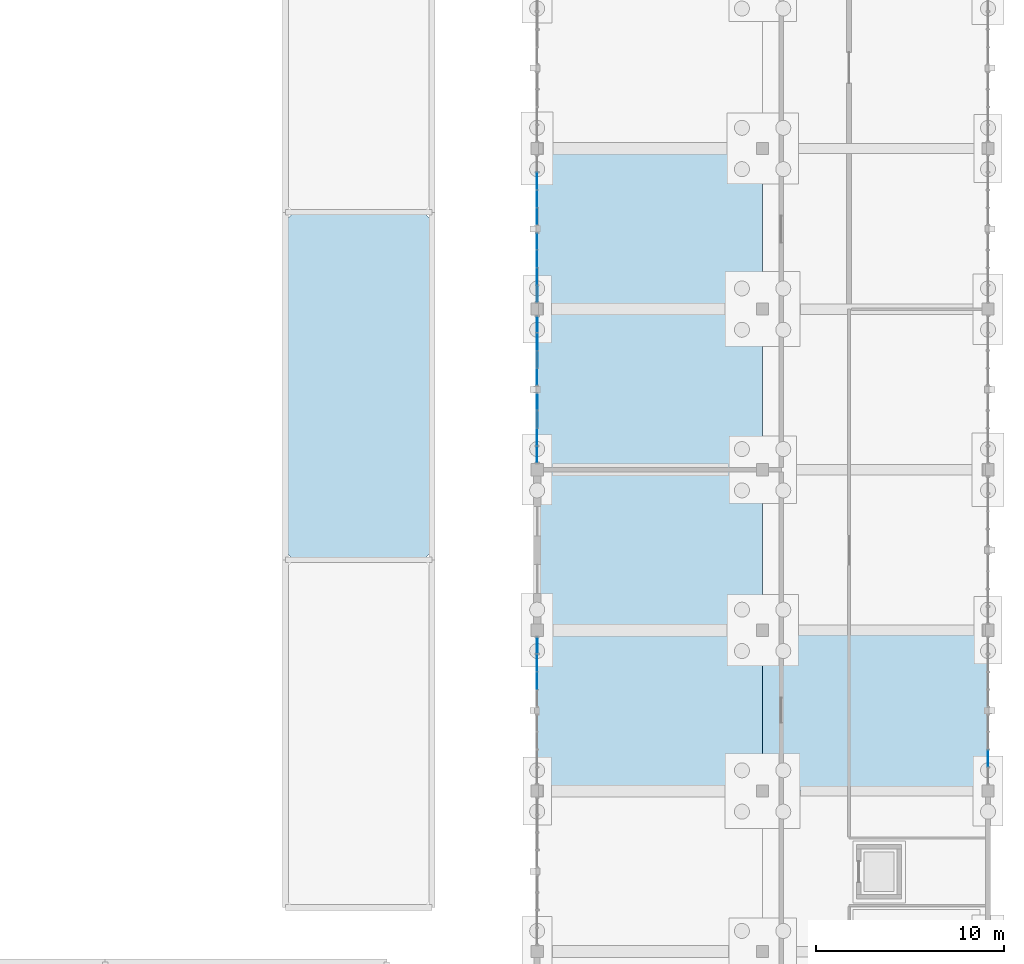
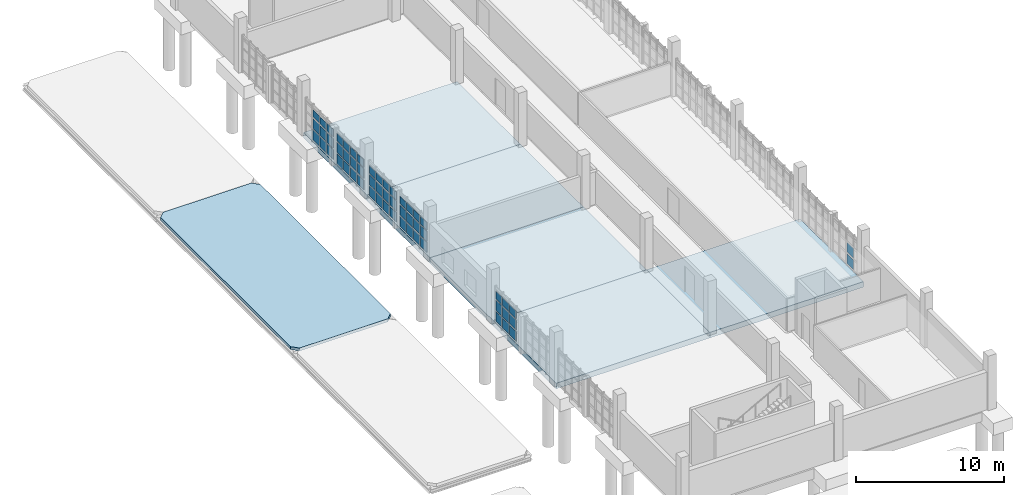
# One storey, part 91 of 125: 56 plates, 6 slabs, 6 elements without a shape of their own.
"""IFC4 building model written with IfcOpenShell, lengths in metres."""

from ifc_helpers import new_model, si_unit, direction, frame, origin, origin_2d, place, context, subcontext, project, spatial, polyline, rectangle, outline, extrude, material, layer, layer_set, type_object, element, aggregate, save


model = new_model("IFC4")

# Units and contexts
model_context = context("Model", 3, precision=1e-05, world=origin(), true_north=direction((0.0, 1.0)))
body_context = subcontext(model_context, "Body", "Model", "MODEL_VIEW")
ifc_project = project(units=[si_unit("LENGTHUNIT", "METRE"), si_unit("AREAUNIT", "SQUARE_METRE"), si_unit("VOLUMEUNIT", "CUBIC_METRE"), si_unit("PLANEANGLEUNIT", "RADIAN"), si_unit("MASSUNIT", "GRAM", prefix="KILO")], contexts=[model_context])

# Site, building, storey
site_placement = place(None, origin())
site = spatial("IfcSite", under=ifc_project, at=site_placement, CompositionType="ELEMENT")
building_placement = place(site_placement, origin())
building = spatial("IfcBuilding", under=site, at=building_placement, Name="Serraforn Aerial Cableway Station", CompositionType="ELEMENT")
storey_placement = place(building_placement, frame((0.0, 0.0, 4.5)))
storey = spatial("IfcBuildingStorey", under=building, at=storey_placement, Name="L01", CompositionType="ELEMENT", Elevation=4.5)

# Curtain wall, plates
ifc_material_1 = material(Name="Anodised bronze unitised curtain wall")
curtain_wall_type_1 = type_object("IfcCurtainWallType", Name="CW-SYS-5", PredefinedType="USERDEFINED", material=ifc_material_1)
curtain_wall_1_placement = place(storey_placement, origin())
curtain_wall_1 = element("IfcCurtainWall", 1, at=curtain_wall_1_placement, inside=storey, type_object=curtain_wall_type_1, Name="Unitised Curtain Wall CW-EG-L01-W3A", ObjectType="UNITISED CURTAIN WALL", PredefinedType="USERDEFINED")
ifc_material_2 = material(Name="Solar-control low-E double glazing", Category="glass")
ifc_layer_1 = layer(ifc_material_2, 0.02587890625)
ifc_layer_set_1 = layer_set([ifc_layer_1], Name="Solar-control low-E double glazing")
plate_type_1 = type_object("IfcPlateType", Name="CW-GLZ-1", PredefinedType="CURTAIN_PANEL", material=ifc_layer_set_1)
plate_1_placement = place(storey_placement, frame((144.0, 69.507568359375, 2.062255859375), z_axis=(0.0, 0.0, 1.0), x_axis=(1.0, 0.0, 0.0)))
plate_1 = element("IfcPlate", 2, at=plate_1_placement, type_object=plate_type_1, Name="Curtain Wall Panel CW-EG-L01-W3A-P2-3", PredefinedType="CURTAIN_PANEL", context=body_context, shape_type="SweptSolid", body=[
    extrude(rectangle(XDim=0.02587890625, YDim=0.882080078125, at=origin_2d()), origin(), (0.0, 0.0, 1.0), 0.6103515625),
])
plate_2_placement = place(storey_placement, frame((144.0, 68.57080078125, 1.12646484375), z_axis=(0.0, 0.0, 1.0), x_axis=(1.0, 0.0, 0.0)))
plate_2 = element("IfcPlate", 3, at=plate_2_placement, type_object=plate_type_1, Name="Curtain Wall Panel CW-EG-L01-W3A-P3-2", PredefinedType="CURTAIN_PANEL", context=body_context, shape_type="SweptSolid", body=[
    extrude(rectangle(XDim=0.02587890625, YDim=0.889404296875, at=origin_2d()), origin(), (0.0, 0.0, 1.0), 0.797607421875),
])

# Curtain wall, plate
curtain_wall_type_2 = type_object("IfcCurtainWallType", Name="CW-SYS-7", PredefinedType="USERDEFINED", material=ifc_material_1)
curtain_wall_2_placement = place(storey_placement, origin())
curtain_wall_2 = element("IfcCurtainWall", 4, at=curtain_wall_2_placement, inside=storey, type_object=curtain_wall_type_2, Name="Unitised Curtain Wall CW-EG-L01-E3A", ObjectType="UNITISED CURTAIN WALL", PredefinedType="USERDEFINED")
plate_3_placement = place(storey_placement, frame((168.0, 64.436279296875, 0.1904296875), z_axis=(0.0, 0.0, 1.0), x_axis=(1.0, 0.0, 0.0)))
plate_3 = element("IfcPlate", 5, at=plate_3_placement, type_object=plate_type_1, Name="Curtain Wall Panel CW-EG-L01-E3A-P2-1", PredefinedType="CURTAIN_PANEL", context=body_context, shape_type="SweptSolid", body=[
    extrude(rectangle(XDim=0.02587890625, YDim=0.884521484375, at=origin_2d()), origin(), (0.0, 0.0, 1.0), 0.797607421875),
])

curtain_wall_type_3 = type_object("IfcCurtainWallType", Name="CW-SYS-11", PredefinedType="USERDEFINED", material=ifc_material_1)
curtain_wall_3_placement = place(storey_placement, origin())
curtain_wall_3 = element("IfcCurtainWall", 6, at=curtain_wall_3_placement, inside=storey, type_object=curtain_wall_type_3, Name="Unitised Curtain Wall CW-EG-L01-W5A", ObjectType="UNITISED CURTAIN WALL", PredefinedType="USERDEFINED")
plate_4_placement = place(storey_placement, frame((144.0, 84.7451171875, 2.0498046875), z_axis=(0.0, 0.0, 1.0), x_axis=(1.0, 0.0, 0.0)))
plate_4 = element("IfcPlate", 7, at=plate_4_placement, type_object=plate_type_1, Name="Curtain Wall Panel CW-EG-L01-W5A-P4-3", PredefinedType="CURTAIN_PANEL", context=body_context, shape_type="SweptSolid", body=[
    extrude(rectangle(XDim=0.02587890625, YDim=0.844482421875, at=origin_2d()), origin(), (0.0, 0.0, 1.0), 0.6376953125),
])

# Curtain wall, plates
curtain_wall_type_4 = type_object("IfcCurtainWallType", Name="CW-SYS-12", PredefinedType="USERDEFINED", material=ifc_material_1)
curtain_wall_4_placement = place(storey_placement, origin())
curtain_wall_4 = element("IfcCurtainWall", 8, at=curtain_wall_4_placement, inside=storey, type_object=curtain_wall_type_4, Name="Unitised Curtain Wall CW-EG-L01-W5B", ObjectType="UNITISED CURTAIN WALL", PredefinedType="USERDEFINED")
plate_5_placement = place(storey_placement, frame((144.0, 81.538818359375, 2.0498046875), z_axis=(0.0, 0.0, 1.0), x_axis=(1.0, 0.0, 0.0)))
plate_5 = element("IfcPlate", 9, at=plate_5_placement, type_object=plate_type_1, Name="Curtain Wall Panel CW-EG-L01-W5B-P3-3", PredefinedType="CURTAIN_PANEL", context=body_context, shape_type="SweptSolid", body=[
    extrude(rectangle(XDim=0.02587890625, YDim=0.87939453125, at=origin_2d()), origin(), (0.0, 0.0, 1.0), 0.6376953125),
])
plate_6_placement = place(storey_placement, frame((144.0, 80.614501953125, 1.11376953125), z_axis=(0.0, 0.0, 1.0), x_axis=(1.0, 0.0, 0.0)))
plate_6 = element("IfcPlate", 10, at=plate_6_placement, type_object=plate_type_1, Name="Curtain Wall Panel CW-EG-L01-W5B-P4-2", PredefinedType="CURTAIN_PANEL", context=body_context, shape_type="SweptSolid", body=[
    extrude(rectangle(XDim=0.02587890625, YDim=0.8369140625, at=origin_2d()), origin(), (0.0, 0.0, 1.0), 0.824951171875),
])

# Curtain wall, plate
curtain_wall_type_5 = type_object("IfcCurtainWallType", Name="CW-SYS-15", PredefinedType="USERDEFINED", material=ifc_material_1)
curtain_wall_5_placement = place(storey_placement, origin())
curtain_wall_5 = element("IfcCurtainWall", 11, at=curtain_wall_5_placement, inside=storey, type_object=curtain_wall_type_5, Name="Unitised Curtain Wall CW-EG-L01-W6A", ObjectType="UNITISED CURTAIN WALL", PredefinedType="USERDEFINED")
plate_7_placement = place(storey_placement, frame((144.0, 95.157470703125, 0.177734375), z_axis=(0.0, 0.0, 1.0), x_axis=(1.0, 0.0, 0.0)))
plate_7 = element("IfcPlate", 12, at=plate_7_placement, type_object=plate_type_1, Name="Curtain Wall Panel CW-EG-L01-W6A-P2-1", PredefinedType="CURTAIN_PANEL", context=body_context, shape_type="SweptSolid", body=[
    extrude(rectangle(XDim=0.02587890625, YDim=0.882080078125, at=origin_2d()), origin(), (0.0, 0.0, 1.0), 0.824951171875),
])

curtain_wall_type_6 = type_object("IfcCurtainWallType", Name="CW-SYS-16", PredefinedType="USERDEFINED", material=ifc_material_1)
curtain_wall_6_placement = place(storey_placement, origin())
curtain_wall_6 = element("IfcCurtainWall", 13, at=curtain_wall_6_placement, inside=storey, type_object=curtain_wall_type_6, Name="Unitised Curtain Wall CW-EG-L01-W6B", ObjectType="UNITISED CURTAIN WALL", PredefinedType="USERDEFINED")
plate_8_placement = place(storey_placement, frame((144.0, 91.94970703125, 0.177734375), z_axis=(0.0, 0.0, 1.0), x_axis=(1.0, 0.0, 0.0)))
plate_8 = element("IfcPlate", 14, at=plate_8_placement, type_object=plate_type_1, Name="Curtain Wall Panel CW-EG-L01-W6B-P1-1", PredefinedType="CURTAIN_PANEL", context=body_context, shape_type="SweptSolid", body=[
    extrude(rectangle(XDim=0.02587890625, YDim=0.844482421875, at=origin_2d()), origin(), (0.0, 0.0, 1.0), 0.824951171875),
])

# Plate
ifc_layer_2 = layer(ifc_material_2, 0.028076171875)
ifc_layer_set_2 = layer_set([ifc_layer_2], Name="Solar-control low-E double glazing")
plate_type_2 = type_object("IfcPlateType", Name="CW-GLZ-2", PredefinedType="CURTAIN_PANEL", material=ifc_layer_set_2)
plate_9_placement = place(storey_placement, frame((144.0, 68.57080078125, 2.06982421875), z_axis=(0.0, 0.0, 1.0), x_axis=(1.0, 0.0, 0.0)))
plate_9 = element("IfcPlate", 15, at=plate_9_placement, type_object=plate_type_2, Name="Curtain Wall Panel CW-EG-L01-W3A-P3-3", PredefinedType="CURTAIN_PANEL", context=body_context, shape_type="SweptSolid", body=[
    extrude(rectangle(XDim=0.028076171875, YDim=0.889404296875, at=origin_2d()), origin(), (0.0, 0.0, 1.0), 0.59521484375),
])

plate_10_placement = place(storey_placement, frame((168.0, 64.436279296875, 1.1337890625), z_axis=(0.0, 0.0, 1.0), x_axis=(1.0, 0.0, 0.0)))
plate_10 = element("IfcPlate", 16, at=plate_10_placement, type_object=plate_type_2, Name="Curtain Wall Panel CW-EG-L01-E3A-P2-2", PredefinedType="CURTAIN_PANEL", context=body_context, shape_type="SweptSolid", body=[
    extrude(rectangle(XDim=0.028076171875, YDim=0.884521484375, at=origin_2d()), origin(), (0.0, 0.0, 1.0), 0.782470703125),
])

aggregate(curtain_wall_2, [plate_3, plate_10])

plate_11_placement = place(storey_placement, frame((144.0, 80.614501953125, 2.0546875), z_axis=(0.0, 0.0, 1.0), x_axis=(1.0, 0.0, 0.0)))
plate_11 = element("IfcPlate", 17, at=plate_11_placement, type_object=plate_type_2, Name="Curtain Wall Panel CW-EG-L01-W5B-P4-3", PredefinedType="CURTAIN_PANEL", context=body_context, shape_type="SweptSolid", body=[
    extrude(rectangle(XDim=0.028076171875, YDim=0.8369140625, at=origin_2d()), origin(), (0.0, 0.0, 1.0), 0.625244140625),
])

plate_12_placement = place(storey_placement, frame((144.0, 95.157470703125, 1.118896484375), z_axis=(0.0, 0.0, 1.0), x_axis=(1.0, 0.0, 0.0)))
plate_12 = element("IfcPlate", 18, at=plate_12_placement, type_object=plate_type_2, Name="Curtain Wall Panel CW-EG-L01-W6A-P2-2", PredefinedType="CURTAIN_PANEL", context=body_context, shape_type="SweptSolid", body=[
    extrude(rectangle(XDim=0.028076171875, YDim=0.882080078125, at=origin_2d()), origin(), (0.0, 0.0, 1.0), 0.8125),
])

plate_13_placement = place(storey_placement, frame((144.0, 94.220703125, 0.182861328125), z_axis=(0.0, 0.0, 1.0), x_axis=(1.0, 0.0, 0.0)))
plate_13 = element("IfcPlate", 19, at=plate_13_placement, type_object=plate_type_2, Name="Curtain Wall Panel CW-EG-L01-W6A-P3-1", PredefinedType="CURTAIN_PANEL", context=body_context, shape_type="SweptSolid", body=[
    extrude(rectangle(XDim=0.028076171875, YDim=0.889404296875, at=origin_2d()), origin(), (0.0, 0.0, 1.0), 0.8125),
])

plate_14_placement = place(storey_placement, frame((144.0, 91.94970703125, 1.118896484375), z_axis=(0.0, 0.0, 1.0), x_axis=(1.0, 0.0, 0.0)))
plate_14 = element("IfcPlate", 20, at=plate_14_placement, type_object=plate_type_2, Name="Curtain Wall Panel CW-EG-L01-W6B-P1-2", PredefinedType="CURTAIN_PANEL", context=body_context, shape_type="SweptSolid", body=[
    extrude(rectangle(XDim=0.028076171875, YDim=0.844482421875, at=origin_2d()), origin(), (0.0, 0.0, 1.0), 0.8125),
])

plate_15_placement = place(storey_placement, frame((144.0, 91.03173828125, 0.182861328125), z_axis=(0.0, 0.0, 1.0), x_axis=(1.0, 0.0, 0.0)))
plate_15 = element("IfcPlate", 21, at=plate_15_placement, type_object=plate_type_2, Name="Curtain Wall Panel CW-EG-L01-W6B-P2-1", PredefinedType="CURTAIN_PANEL", context=body_context, shape_type="SweptSolid", body=[
    extrude(rectangle(XDim=0.028076171875, YDim=0.889404296875, at=origin_2d()), origin(), (0.0, 0.0, 1.0), 0.8125),
])

ifc_layer_3 = layer(ifc_material_2, 0.030029296875)
ifc_layer_set_3 = layer_set([ifc_layer_3], Name="Solar-control low-E double glazing")
plate_type_3 = type_object("IfcPlateType", Name="CW-GLZ-3", PredefinedType="CURTAIN_PANEL", material=ifc_layer_set_3)
plate_16_placement = place(storey_placement, frame((144.0, 95.157470703125, 2.062255859375), z_axis=(0.0, 0.0, 1.0), x_axis=(1.0, 0.0, 0.0)))
plate_16 = element("IfcPlate", 22, at=plate_16_placement, type_object=plate_type_3, Name="Curtain Wall Panel CW-EG-L01-W6A-P2-3", PredefinedType="CURTAIN_PANEL", context=body_context, shape_type="SweptSolid", body=[
    extrude(rectangle(XDim=0.030029296875, YDim=0.882080078125, at=origin_2d()), origin(), (0.0, 0.0, 1.0), 0.6103515625),
])

plate_17_placement = place(storey_placement, frame((144.0, 94.220703125, 1.12646484375), z_axis=(0.0, 0.0, 1.0), x_axis=(1.0, 0.0, 0.0)))
plate_17 = element("IfcPlate", 23, at=plate_17_placement, type_object=plate_type_3, Name="Curtain Wall Panel CW-EG-L01-W6A-P3-2", PredefinedType="CURTAIN_PANEL", context=body_context, shape_type="SweptSolid", body=[
    extrude(rectangle(XDim=0.030029296875, YDim=0.889404296875, at=origin_2d()), origin(), (0.0, 0.0, 1.0), 0.797607421875),
])

plate_18_placement = place(storey_placement, frame((144.0, 93.2939453125, 0.1904296875), z_axis=(0.0, 0.0, 1.0), x_axis=(1.0, 0.0, 0.0)))
plate_18 = element("IfcPlate", 24, at=plate_18_placement, type_object=plate_type_3, Name="Curtain Wall Panel CW-EG-L01-W6A-P4-1", PredefinedType="CURTAIN_PANEL", context=body_context, shape_type="SweptSolid", body=[
    extrude(rectangle(XDim=0.030029296875, YDim=0.85205078125, at=origin_2d()), origin(), (0.0, 0.0, 1.0), 0.797607421875),
])

plate_19_placement = place(storey_placement, frame((144.0, 91.94970703125, 2.062255859375), z_axis=(0.0, 0.0, 1.0), x_axis=(1.0, 0.0, 0.0)))
plate_19 = element("IfcPlate", 25, at=plate_19_placement, type_object=plate_type_3, Name="Curtain Wall Panel CW-EG-L01-W6B-P1-3", PredefinedType="CURTAIN_PANEL", context=body_context, shape_type="SweptSolid", body=[
    extrude(rectangle(XDim=0.030029296875, YDim=0.844482421875, at=origin_2d()), origin(), (0.0, 0.0, 1.0), 0.6103515625),
])

plate_20_placement = place(storey_placement, frame((144.0, 91.03173828125, 1.12646484375), z_axis=(0.0, 0.0, 1.0), x_axis=(1.0, 0.0, 0.0)))
plate_20 = element("IfcPlate", 26, at=plate_20_placement, type_object=plate_type_3, Name="Curtain Wall Panel CW-EG-L01-W6B-P2-2", PredefinedType="CURTAIN_PANEL", context=body_context, shape_type="SweptSolid", body=[
    extrude(rectangle(XDim=0.030029296875, YDim=0.889404296875, at=origin_2d()), origin(), (0.0, 0.0, 1.0), 0.797607421875),
])

plate_21_placement = place(storey_placement, frame((144.0, 90.0888671875, 0.1904296875), z_axis=(0.0, 0.0, 1.0), x_axis=(1.0, 0.0, 0.0)))
plate_21 = element("IfcPlate", 27, at=plate_21_placement, type_object=plate_type_3, Name="Curtain Wall Panel CW-EG-L01-W6B-P3-1", PredefinedType="CURTAIN_PANEL", context=body_context, shape_type="SweptSolid", body=[
    extrude(rectangle(XDim=0.030029296875, YDim=0.884521484375, at=origin_2d()), origin(), (0.0, 0.0, 1.0), 0.797607421875),
])

ifc_layer_4 = layer(ifc_material_2, 0.031982421875)
ifc_layer_set_4 = layer_set([ifc_layer_4], Name="Solar-control low-E double glazing")
plate_type_4 = type_object("IfcPlateType", Name="CW-GLZ-4", PredefinedType="CURTAIN_PANEL", material=ifc_layer_set_4)
plate_22_placement = place(storey_placement, frame((144.0, 87.53173828125, 0.177734375), z_axis=(0.0, 0.0, 1.0), x_axis=(1.0, 0.0, 0.0)))
plate_22 = element("IfcPlate", 28, at=plate_22_placement, type_object=plate_type_4, Name="Curtain Wall Panel CW-EG-L01-W5A-P1-1", PredefinedType="CURTAIN_PANEL", context=body_context, shape_type="SweptSolid", body=[
    extrude(rectangle(XDim=0.031982421875, YDim=0.844482421875, at=origin_2d()), origin(), (0.0, 0.0, 1.0), 0.824951171875),
])

plate_23_placement = place(storey_placement, frame((144.0, 94.220703125, 2.06982421875), z_axis=(0.0, 0.0, 1.0), x_axis=(1.0, 0.0, 0.0)))
plate_23 = element("IfcPlate", 29, at=plate_23_placement, type_object=plate_type_4, Name="Curtain Wall Panel CW-EG-L01-W6A-P3-3", PredefinedType="CURTAIN_PANEL", context=body_context, shape_type="SweptSolid", body=[
    extrude(rectangle(XDim=0.031982421875, YDim=0.889404296875, at=origin_2d()), origin(), (0.0, 0.0, 1.0), 0.59521484375),
])

plate_24_placement = place(storey_placement, frame((144.0, 93.2939453125, 1.1337890625), z_axis=(0.0, 0.0, 1.0), x_axis=(1.0, 0.0, 0.0)))
plate_24 = element("IfcPlate", 30, at=plate_24_placement, type_object=plate_type_4, Name="Curtain Wall Panel CW-EG-L01-W6A-P4-2", PredefinedType="CURTAIN_PANEL", context=body_context, shape_type="SweptSolid", body=[
    extrude(rectangle(XDim=0.031982421875, YDim=0.85205078125, at=origin_2d()), origin(), (0.0, 0.0, 1.0), 0.782470703125),
])

plate_25_placement = place(storey_placement, frame((144.0, 91.03173828125, 2.06982421875), z_axis=(0.0, 0.0, 1.0), x_axis=(1.0, 0.0, 0.0)))
plate_25 = element("IfcPlate", 31, at=plate_25_placement, type_object=plate_type_4, Name="Curtain Wall Panel CW-EG-L01-W6B-P2-3", PredefinedType="CURTAIN_PANEL", context=body_context, shape_type="SweptSolid", body=[
    extrude(rectangle(XDim=0.031982421875, YDim=0.889404296875, at=origin_2d()), origin(), (0.0, 0.0, 1.0), 0.59521484375),
])

plate_26_placement = place(storey_placement, frame((144.0, 90.0888671875, 1.1337890625), z_axis=(0.0, 0.0, 1.0), x_axis=(1.0, 0.0, 0.0)))
plate_26 = element("IfcPlate", 32, at=plate_26_placement, type_object=plate_type_4, Name="Curtain Wall Panel CW-EG-L01-W6B-P3-2", PredefinedType="CURTAIN_PANEL", context=body_context, shape_type="SweptSolid", body=[
    extrude(rectangle(XDim=0.031982421875, YDim=0.884521484375, at=origin_2d()), origin(), (0.0, 0.0, 1.0), 0.782470703125),
])

plate_27_placement = place(storey_placement, frame((144.0, 89.163330078125, 0.19775390625), z_axis=(0.0, 0.0, 1.0), x_axis=(1.0, 0.0, 0.0)))
plate_27 = element("IfcPlate", 33, at=plate_27_placement, type_object=plate_type_4, Name="Curtain Wall Panel CW-EG-L01-W6B-P4-1", PredefinedType="CURTAIN_PANEL", context=body_context, shape_type="SweptSolid", body=[
    extrude(rectangle(XDim=0.031982421875, YDim=0.844482421875, at=origin_2d()), origin(), (0.0, 0.0, 1.0), 0.782470703125),
])

ifc_layer_5 = layer(ifc_material_2, 0.033935546875)
ifc_layer_set_5 = layer_set([ifc_layer_5], Name="Solar-control low-E double glazing")
plate_type_5 = type_object("IfcPlateType", Name="CW-GLZ-5", PredefinedType="CURTAIN_PANEL", material=ifc_layer_set_5)
plate_28_placement = place(storey_placement, frame((144.0, 87.53173828125, 1.118896484375), z_axis=(0.0, 0.0, 1.0), x_axis=(1.0, 0.0, 0.0)))
plate_28 = element("IfcPlate", 34, at=plate_28_placement, type_object=plate_type_5, Name="Curtain Wall Panel CW-EG-L01-W5A-P1-2", PredefinedType="CURTAIN_PANEL", context=body_context, shape_type="SweptSolid", body=[
    extrude(rectangle(XDim=0.033935546875, YDim=0.844482421875, at=origin_2d()), origin(), (0.0, 0.0, 1.0), 0.8125),
])

plate_29_placement = place(storey_placement, frame((144.0, 86.61376953125, 0.182861328125), z_axis=(0.0, 0.0, 1.0), x_axis=(1.0, 0.0, 0.0)))
plate_29 = element("IfcPlate", 35, at=plate_29_placement, type_object=plate_type_5, Name="Curtain Wall Panel CW-EG-L01-W5A-P2-1", PredefinedType="CURTAIN_PANEL", context=body_context, shape_type="SweptSolid", body=[
    extrude(rectangle(XDim=0.033935546875, YDim=0.889404296875, at=origin_2d()), origin(), (0.0, 0.0, 1.0), 0.8125),
])

plate_30_placement = place(storey_placement, frame((144.0, 83.410888671875, 0.182861328125), z_axis=(0.0, 0.0, 1.0), x_axis=(1.0, 0.0, 0.0)))
plate_30 = element("IfcPlate", 36, at=plate_30_placement, type_object=plate_type_5, Name="Curtain Wall Panel CW-EG-L01-W5B-P1-1", PredefinedType="CURTAIN_PANEL", context=body_context, shape_type="SweptSolid", body=[
    extrude(rectangle(XDim=0.033935546875, YDim=0.862060546875, at=origin_2d()), origin(), (0.0, 0.0, 1.0), 0.8125),
])

plate_31_placement = place(storey_placement, frame((144.0, 93.2939453125, 2.077392578125), z_axis=(0.0, 0.0, 1.0), x_axis=(1.0, 0.0, 0.0)))
plate_31 = element("IfcPlate", 37, at=plate_31_placement, type_object=plate_type_5, Name="Curtain Wall Panel CW-EG-L01-W6A-P4-3", PredefinedType="CURTAIN_PANEL", context=body_context, shape_type="SweptSolid", body=[
    extrude(rectangle(XDim=0.033935546875, YDim=0.85205078125, at=origin_2d()), origin(), (0.0, 0.0, 1.0), 0.615234375),
])

aggregate(curtain_wall_5, [plate_7, plate_12, plate_16, plate_13, plate_17, plate_23, plate_18, plate_24, plate_31])

plate_32_placement = place(storey_placement, frame((144.0, 90.0888671875, 2.077392578125), z_axis=(0.0, 0.0, 1.0), x_axis=(1.0, 0.0, 0.0)))
plate_32 = element("IfcPlate", 38, at=plate_32_placement, type_object=plate_type_5, Name="Curtain Wall Panel CW-EG-L01-W6B-P3-3", PredefinedType="CURTAIN_PANEL", context=body_context, shape_type="SweptSolid", body=[
    extrude(rectangle(XDim=0.033935546875, YDim=0.884521484375, at=origin_2d()), origin(), (0.0, 0.0, 1.0), 0.615234375),
])

plate_33_placement = place(storey_placement, frame((144.0, 89.163330078125, 1.14111328125), z_axis=(0.0, 0.0, 1.0), x_axis=(1.0, 0.0, 0.0)))
plate_33 = element("IfcPlate", 39, at=plate_33_placement, type_object=plate_type_5, Name="Curtain Wall Panel CW-EG-L01-W6B-P4-2", PredefinedType="CURTAIN_PANEL", context=body_context, shape_type="SweptSolid", body=[
    extrude(rectangle(XDim=0.033935546875, YDim=0.844482421875, at=origin_2d()), origin(), (0.0, 0.0, 1.0), 0.802490234375),
])

ifc_layer_6 = layer(ifc_material_2, 0.035888671875)
ifc_layer_set_6 = layer_set([ifc_layer_6], Name="Solar-control low-E double glazing")
plate_type_6 = type_object("IfcPlateType", Name="CW-GLZ-6", PredefinedType="CURTAIN_PANEL", material=ifc_layer_set_6)
plate_34_placement = place(storey_placement, frame((144.0, 70.439208984375, 0.20556640625), z_axis=(0.0, 0.0, 1.0), x_axis=(1.0, 0.0, 0.0)))
plate_34 = element("IfcPlate", 40, at=plate_34_placement, type_object=plate_type_6, Name="Curtain Wall Panel CW-EG-L01-W3A-P1-1", PredefinedType="CURTAIN_PANEL", context=body_context, shape_type="SweptSolid", body=[
    extrude(rectangle(XDim=0.035888671875, YDim=0.839599609375, at=origin_2d()), origin(), (0.0, 0.0, 1.0), 0.802490234375),
])

plate_35_placement = place(storey_placement, frame((144.0, 87.53173828125, 2.062255859375), z_axis=(0.0, 0.0, 1.0), x_axis=(1.0, 0.0, 0.0)))
plate_35 = element("IfcPlate", 41, at=plate_35_placement, type_object=plate_type_6, Name="Curtain Wall Panel CW-EG-L01-W5A-P1-3", PredefinedType="CURTAIN_PANEL", context=body_context, shape_type="SweptSolid", body=[
    extrude(rectangle(XDim=0.035888671875, YDim=0.844482421875, at=origin_2d()), origin(), (0.0, 0.0, 1.0), 0.6103515625),
])

plate_36_placement = place(storey_placement, frame((144.0, 86.61376953125, 1.12646484375), z_axis=(0.0, 0.0, 1.0), x_axis=(1.0, 0.0, 0.0)))
plate_36 = element("IfcPlate", 42, at=plate_36_placement, type_object=plate_type_6, Name="Curtain Wall Panel CW-EG-L01-W5A-P2-2", PredefinedType="CURTAIN_PANEL", context=body_context, shape_type="SweptSolid", body=[
    extrude(rectangle(XDim=0.035888671875, YDim=0.889404296875, at=origin_2d()), origin(), (0.0, 0.0, 1.0), 0.797607421875),
])

plate_37_placement = place(storey_placement, frame((144.0, 85.670654296875, 0.1904296875), z_axis=(0.0, 0.0, 1.0), x_axis=(1.0, 0.0, 0.0)))
plate_37 = element("IfcPlate", 43, at=plate_37_placement, type_object=plate_type_6, Name="Curtain Wall Panel CW-EG-L01-W5A-P3-1", PredefinedType="CURTAIN_PANEL", context=body_context, shape_type="SweptSolid", body=[
    extrude(rectangle(XDim=0.035888671875, YDim=0.884521484375, at=origin_2d()), origin(), (0.0, 0.0, 1.0), 0.797607421875),
])

plate_38_placement = place(storey_placement, frame((144.0, 83.410888671875, 1.12646484375), z_axis=(0.0, 0.0, 1.0), x_axis=(1.0, 0.0, 0.0)))
plate_38 = element("IfcPlate", 44, at=plate_38_placement, type_object=plate_type_6, Name="Curtain Wall Panel CW-EG-L01-W5B-P1-2", PredefinedType="CURTAIN_PANEL", context=body_context, shape_type="SweptSolid", body=[
    extrude(rectangle(XDim=0.035888671875, YDim=0.862060546875, at=origin_2d()), origin(), (0.0, 0.0, 1.0), 0.797607421875),
])

plate_39_placement = place(storey_placement, frame((144.0, 82.481689453125, 0.1904296875), z_axis=(0.0, 0.0, 1.0), x_axis=(1.0, 0.0, 0.0)))
plate_39 = element("IfcPlate", 45, at=plate_39_placement, type_object=plate_type_6, Name="Curtain Wall Panel CW-EG-L01-W5B-P2-1", PredefinedType="CURTAIN_PANEL", context=body_context, shape_type="SweptSolid", body=[
    extrude(rectangle(XDim=0.035888671875, YDim=0.884521484375, at=origin_2d()), origin(), (0.0, 0.0, 1.0), 0.797607421875),
])

plate_40_placement = place(storey_placement, frame((144.0, 89.163330078125, 2.0498046875), z_axis=(0.0, 0.0, 1.0), x_axis=(1.0, 0.0, 0.0)))
plate_40 = element("IfcPlate", 46, at=plate_40_placement, type_object=plate_type_6, Name="Curtain Wall Panel CW-EG-L01-W6B-P4-3", PredefinedType="CURTAIN_PANEL", context=body_context, shape_type="SweptSolid", body=[
    extrude(rectangle(XDim=0.035888671875, YDim=0.844482421875, at=origin_2d()), origin(), (0.0, 0.0, 1.0), 0.6376953125),
])

aggregate(curtain_wall_6, [plate_8, plate_14, plate_19, plate_15, plate_20, plate_25, plate_21, plate_26, plate_32, plate_27, plate_33, plate_40])

ifc_layer_7 = layer(ifc_material_2, 0.029052734375)
ifc_layer_set_7 = layer_set([ifc_layer_7], Name="Solar-control low-E double glazing")
plate_type_7 = type_object("IfcPlateType", Name="CW-GLZ-7", PredefinedType="CURTAIN_PANEL", material=ifc_layer_set_7)
plate_41_placement = place(storey_placement, frame((144.0, 70.439208984375, 1.11376953125), z_axis=(0.0, 0.0, 1.0), x_axis=(1.0, 0.0, 0.0)))
plate_41 = element("IfcPlate", 47, at=plate_41_placement, type_object=plate_type_7, Name="Curtain Wall Panel CW-EG-L01-W3A-P1-2", PredefinedType="CURTAIN_PANEL", context=body_context, shape_type="SweptSolid", body=[
    extrude(rectangle(XDim=0.029052734375, YDim=0.839599609375, at=origin_2d()), origin(), (0.0, 0.0, 1.0), 0.824951171875),
])

plate_42_placement = place(storey_placement, frame((144.0, 69.507568359375, 0.177734375), z_axis=(0.0, 0.0, 1.0), x_axis=(1.0, 0.0, 0.0)))
plate_42 = element("IfcPlate", 48, at=plate_42_placement, type_object=plate_type_7, Name="Curtain Wall Panel CW-EG-L01-W3A-P2-1", PredefinedType="CURTAIN_PANEL", context=body_context, shape_type="SweptSolid", body=[
    extrude(rectangle(XDim=0.029052734375, YDim=0.882080078125, at=origin_2d()), origin(), (0.0, 0.0, 1.0), 0.824951171875),
])

plate_43_placement = place(storey_placement, frame((144.0, 86.61376953125, 2.06982421875), z_axis=(0.0, 0.0, 1.0), x_axis=(1.0, 0.0, 0.0)))
plate_43 = element("IfcPlate", 49, at=plate_43_placement, type_object=plate_type_7, Name="Curtain Wall Panel CW-EG-L01-W5A-P2-3", PredefinedType="CURTAIN_PANEL", context=body_context, shape_type="SweptSolid", body=[
    extrude(rectangle(XDim=0.029052734375, YDim=0.889404296875, at=origin_2d()), origin(), (0.0, 0.0, 1.0), 0.59521484375),
])

plate_44_placement = place(storey_placement, frame((144.0, 85.670654296875, 1.1337890625), z_axis=(0.0, 0.0, 1.0), x_axis=(1.0, 0.0, 0.0)))
plate_44 = element("IfcPlate", 50, at=plate_44_placement, type_object=plate_type_7, Name="Curtain Wall Panel CW-EG-L01-W5A-P3-2", PredefinedType="CURTAIN_PANEL", context=body_context, shape_type="SweptSolid", body=[
    extrude(rectangle(XDim=0.029052734375, YDim=0.884521484375, at=origin_2d()), origin(), (0.0, 0.0, 1.0), 0.782470703125),
])

plate_45_placement = place(storey_placement, frame((144.0, 84.7451171875, 0.19775390625), z_axis=(0.0, 0.0, 1.0), x_axis=(1.0, 0.0, 0.0)))
plate_45 = element("IfcPlate", 51, at=plate_45_placement, type_object=plate_type_7, Name="Curtain Wall Panel CW-EG-L01-W5A-P4-1", PredefinedType="CURTAIN_PANEL", context=body_context, shape_type="SweptSolid", body=[
    extrude(rectangle(XDim=0.029052734375, YDim=0.844482421875, at=origin_2d()), origin(), (0.0, 0.0, 1.0), 0.782470703125),
])

plate_46_placement = place(storey_placement, frame((144.0, 83.410888671875, 2.06982421875), z_axis=(0.0, 0.0, 1.0), x_axis=(1.0, 0.0, 0.0)))
plate_46 = element("IfcPlate", 52, at=plate_46_placement, type_object=plate_type_7, Name="Curtain Wall Panel CW-EG-L01-W5B-P1-3", PredefinedType="CURTAIN_PANEL", context=body_context, shape_type="SweptSolid", body=[
    extrude(rectangle(XDim=0.029052734375, YDim=0.862060546875, at=origin_2d()), origin(), (0.0, 0.0, 1.0), 0.59521484375),
])

plate_47_placement = place(storey_placement, frame((144.0, 82.481689453125, 1.1337890625), z_axis=(0.0, 0.0, 1.0), x_axis=(1.0, 0.0, 0.0)))
plate_47 = element("IfcPlate", 53, at=plate_47_placement, type_object=plate_type_7, Name="Curtain Wall Panel CW-EG-L01-W5B-P2-2", PredefinedType="CURTAIN_PANEL", context=body_context, shape_type="SweptSolid", body=[
    extrude(rectangle(XDim=0.029052734375, YDim=0.884521484375, at=origin_2d()), origin(), (0.0, 0.0, 1.0), 0.782470703125),
])

plate_48_placement = place(storey_placement, frame((144.0, 81.538818359375, 0.19775390625), z_axis=(0.0, 0.0, 1.0), x_axis=(1.0, 0.0, 0.0)))
plate_48 = element("IfcPlate", 54, at=plate_48_placement, type_object=plate_type_7, Name="Curtain Wall Panel CW-EG-L01-W5B-P3-1", PredefinedType="CURTAIN_PANEL", context=body_context, shape_type="SweptSolid", body=[
    extrude(rectangle(XDim=0.029052734375, YDim=0.87939453125, at=origin_2d()), origin(), (0.0, 0.0, 1.0), 0.782470703125),
])

ifc_layer_8 = layer(ifc_material_2, 0.031005859375)
ifc_layer_set_8 = layer_set([ifc_layer_8], Name="Solar-control low-E double glazing")
plate_type_8 = type_object("IfcPlateType", Name="CW-GLZ-8", PredefinedType="CURTAIN_PANEL", material=ifc_layer_set_8)
plate_49_placement = place(storey_placement, frame((144.0, 70.439208984375, 2.0546875), z_axis=(0.0, 0.0, 1.0), x_axis=(1.0, 0.0, 0.0)))
plate_49 = element("IfcPlate", 55, at=plate_49_placement, type_object=plate_type_8, Name="Curtain Wall Panel CW-EG-L01-W3A-P1-3", PredefinedType="CURTAIN_PANEL", context=body_context, shape_type="SweptSolid", body=[
    extrude(rectangle(XDim=0.031005859375, YDim=0.839599609375, at=origin_2d()), origin(), (0.0, 0.0, 1.0), 0.625244140625),
])

plate_50_placement = place(storey_placement, frame((144.0, 69.507568359375, 1.118896484375), z_axis=(0.0, 0.0, 1.0), x_axis=(1.0, 0.0, 0.0)))
plate_50 = element("IfcPlate", 56, at=plate_50_placement, type_object=plate_type_8, Name="Curtain Wall Panel CW-EG-L01-W3A-P2-2", PredefinedType="CURTAIN_PANEL", context=body_context, shape_type="SweptSolid", body=[
    extrude(rectangle(XDim=0.031005859375, YDim=0.882080078125, at=origin_2d()), origin(), (0.0, 0.0, 1.0), 0.8125),
])

plate_51_placement = place(storey_placement, frame((144.0, 68.57080078125, 0.182861328125), z_axis=(0.0, 0.0, 1.0), x_axis=(1.0, 0.0, 0.0)))
plate_51 = element("IfcPlate", 57, at=plate_51_placement, type_object=plate_type_8, Name="Curtain Wall Panel CW-EG-L01-W3A-P3-1", PredefinedType="CURTAIN_PANEL", context=body_context, shape_type="SweptSolid", body=[
    extrude(rectangle(XDim=0.031005859375, YDim=0.889404296875, at=origin_2d()), origin(), (0.0, 0.0, 1.0), 0.8125),
])

aggregate(curtain_wall_1, [plate_34, plate_41, plate_49, plate_42, plate_50, plate_1, plate_51, plate_2, plate_9])

plate_52_placement = place(storey_placement, frame((144.0, 85.670654296875, 2.077392578125), z_axis=(0.0, 0.0, 1.0), x_axis=(1.0, 0.0, 0.0)))
plate_52 = element("IfcPlate", 58, at=plate_52_placement, type_object=plate_type_8, Name="Curtain Wall Panel CW-EG-L01-W5A-P3-3", PredefinedType="CURTAIN_PANEL", context=body_context, shape_type="SweptSolid", body=[
    extrude(rectangle(XDim=0.031005859375, YDim=0.884521484375, at=origin_2d()), origin(), (0.0, 0.0, 1.0), 0.615234375),
])

plate_53_placement = place(storey_placement, frame((144.0, 84.7451171875, 1.14111328125), z_axis=(0.0, 0.0, 1.0), x_axis=(1.0, 0.0, 0.0)))
plate_53 = element("IfcPlate", 59, at=plate_53_placement, type_object=plate_type_8, Name="Curtain Wall Panel CW-EG-L01-W5A-P4-2", PredefinedType="CURTAIN_PANEL", context=body_context, shape_type="SweptSolid", body=[
    extrude(rectangle(XDim=0.031005859375, YDim=0.844482421875, at=origin_2d()), origin(), (0.0, 0.0, 1.0), 0.802490234375),
])

aggregate(curtain_wall_3, [plate_22, plate_28, plate_35, plate_29, plate_36, plate_43, plate_37, plate_44, plate_52, plate_45, plate_53, plate_4])

plate_54_placement = place(storey_placement, frame((144.0, 82.481689453125, 2.077392578125), z_axis=(0.0, 0.0, 1.0), x_axis=(1.0, 0.0, 0.0)))
plate_54 = element("IfcPlate", 60, at=plate_54_placement, type_object=plate_type_8, Name="Curtain Wall Panel CW-EG-L01-W5B-P2-3", PredefinedType="CURTAIN_PANEL", context=body_context, shape_type="SweptSolid", body=[
    extrude(rectangle(XDim=0.031005859375, YDim=0.884521484375, at=origin_2d()), origin(), (0.0, 0.0, 1.0), 0.615234375),
])

plate_55_placement = place(storey_placement, frame((144.0, 81.538818359375, 1.14111328125), z_axis=(0.0, 0.0, 1.0), x_axis=(1.0, 0.0, 0.0)))
plate_55 = element("IfcPlate", 61, at=plate_55_placement, type_object=plate_type_8, Name="Curtain Wall Panel CW-EG-L01-W5B-P3-2", PredefinedType="CURTAIN_PANEL", context=body_context, shape_type="SweptSolid", body=[
    extrude(rectangle(XDim=0.031005859375, YDim=0.87939453125, at=origin_2d()), origin(), (0.0, 0.0, 1.0), 0.802490234375),
])

plate_56_placement = place(storey_placement, frame((144.0, 80.614501953125, 0.20556640625), z_axis=(0.0, 0.0, 1.0), x_axis=(1.0, 0.0, 0.0)))
plate_56 = element("IfcPlate", 62, at=plate_56_placement, type_object=plate_type_8, Name="Curtain Wall Panel CW-EG-L01-W5B-P4-1", PredefinedType="CURTAIN_PANEL", context=body_context, shape_type="SweptSolid", body=[
    extrude(rectangle(XDim=0.031005859375, YDim=0.8369140625, at=origin_2d()), origin(), (0.0, 0.0, 1.0), 0.802490234375),
])

aggregate(curtain_wall_4, [plate_30, plate_38, plate_46, plate_39, plate_47, plate_54, plate_48, plate_55, plate_5, plate_56, plate_6, plate_11])

# Slabs
ifc_material_3 = material(Name="Concrete C35/45", Category="concrete")
ifc_layer_9 = layer(ifc_material_3, 0.239990234375)
ifc_layer_set_9 = layer_set([ifc_layer_9], Name="Concrete C35/45")
slab_type_1 = type_object("IfcSlabType", Name="SLB-ARC-240", PredefinedType="ROOF", material=ifc_layer_set_9)
slab_1_placement = place(storey_placement, frame((0.0, 0.0, -0.25)))
element("IfcSlab", 63, at=slab_1_placement, inside=storey, type_object=slab_type_1, Name="Colonnade Canopy Roof E-1-2", PredefinedType="ROOF", context=body_context, shape_type="SweptSolid", body=[
    extrude(outline(polyline([(131.050048828125, 75.0), (137.949951171875, 75.0), (138.39990234375, 75.449951171875), (138.39990234375, 93.050048828125), (137.949951171875, 93.5), (131.050048828125, 93.5), (130.60009765625, 93.050048828125), (130.60009765625, 75.449951171875), (131.050048828125, 75.0)])), origin(), (0.0, 0.0, 1.0), 0.239990234375),
])
ifc_material_4 = material(Name="Concrete C40/50", Category="concrete")
ifc_layer_10 = layer(ifc_material_4, 0.449951171875)
ifc_layer_set_10 = layer_set([ifc_layer_10], Name="Concrete C40/50")
slab_type_2 = type_object("IfcSlabType", Name="SLB-BASE-450", PredefinedType="BASESLAB", material=ifc_layer_set_10)
slab_2_placement = place(storey_placement, frame((0.0, 0.0, -0.449951171875)))
element("IfcSlab", 64, at=slab_2_placement, inside=storey, type_object=slab_type_2, Name="Floor Slab EG-L01-1-3", PredefinedType="BASESLAB", context=body_context, shape_type="SweptSolid", body=[
    extrude(outline(polyline([(144.0, 62.699951171875), (156.0, 62.699951171875), (156.0, 71.25), (144.0, 71.25), (144.0, 62.699951171875)])), origin(), (0.0, 0.0, 1.0), 0.449951171875),
])
slab_3_placement = place(storey_placement, frame((0.0, 0.0, -0.449951171875)))
element("IfcSlab", 65, at=slab_3_placement, inside=storey, type_object=slab_type_2, Name="Floor Slab EG-L01-1-4", PredefinedType="BASESLAB", context=body_context, shape_type="SweptSolid", body=[
    extrude(outline(polyline([(144.0, 71.25), (156.0, 71.25), (156.0, 79.800048828125), (144.0, 79.800048828125), (144.0, 71.25)])), origin(), (0.0, 0.0, 1.0), 0.449951171875),
])
slab_4_placement = place(storey_placement, frame((0.0, 0.0, -0.449951171875)))
element("IfcSlab", 66, at=slab_4_placement, inside=storey, type_object=slab_type_2, Name="Floor Slab EG-L01-1-5", PredefinedType="BASESLAB", context=body_context, shape_type="SweptSolid", body=[
    extrude(outline(polyline([(144.0, 79.800048828125), (156.0, 79.800048828125), (156.0, 88.35009765625), (144.0, 88.35009765625), (144.0, 79.800048828125)])), origin(), (0.0, 0.0, 1.0), 0.449951171875),
])
slab_5_placement = place(storey_placement, frame((0.0, 0.0, -0.449951171875)))
element("IfcSlab", 67, at=slab_5_placement, inside=storey, type_object=slab_type_2, Name="Floor Slab EG-L01-1-6", PredefinedType="BASESLAB", context=body_context, shape_type="SweptSolid", body=[
    extrude(outline(polyline([(144.0, 88.35009765625), (156.0, 88.35009765625), (156.0, 96.89990234375), (144.0, 96.89990234375), (144.0, 88.35009765625)])), origin(), (0.0, 0.0, 1.0), 0.449951171875),
])
slab_6_placement = place(storey_placement, frame((0.0, 0.0, -0.449951171875)))
element("IfcSlab", 68, at=slab_6_placement, inside=storey, type_object=slab_type_2, Name="Floor Slab EG-L01-2-3", PredefinedType="BASESLAB", context=body_context, shape_type="SweptSolid", body=[
    extrude(outline(polyline([(156.0, 62.699951171875), (168.0, 62.699951171875), (168.0, 71.25), (156.0, 71.25), (156.0, 62.699951171875)])), origin(), (0.0, 0.0, 1.0), 0.449951171875),
])

save(model, "model.ifc")
